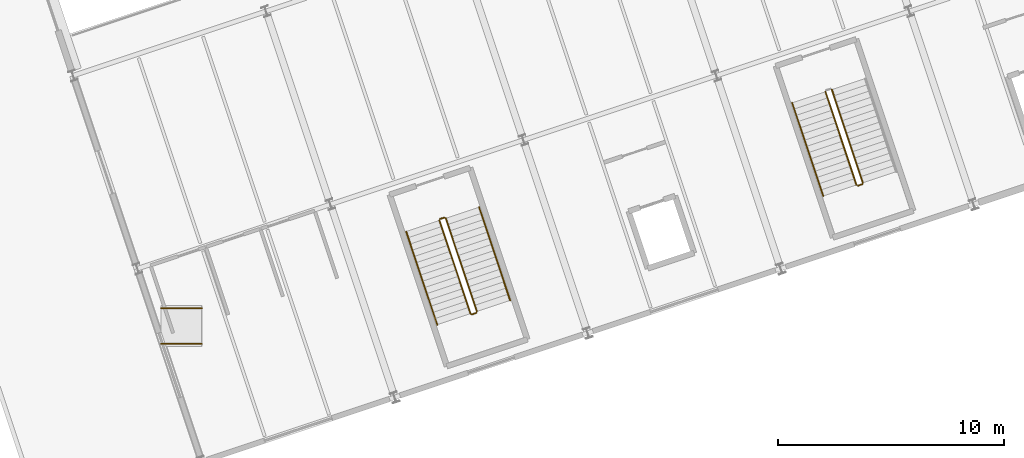
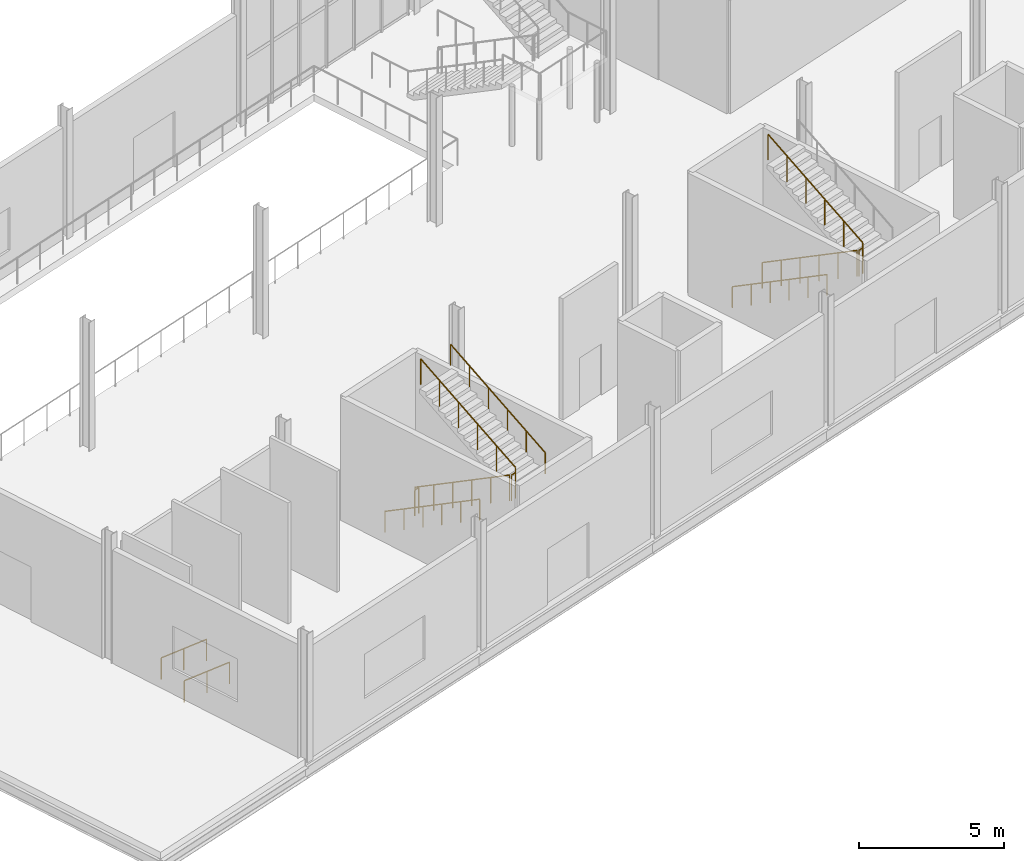
# One storey, part 143 of 158: 12 railings, 1 element without a shape of its own.
"""IFC4 building model written with IfcOpenShell, lengths in metres."""

from ifc_helpers import new_model, si_unit, derived_unit, direction, frame, origin, origin_2d, place, context, subcontext, project, spatial, circle, extrude, material, type_object, element, aggregate, save


model = new_model("IFC4")

# Units and contexts
model_context = context("Model", 3, precision=1e-05, world=origin(), true_north=direction((0.0, 1.0)))
body_context = subcontext(model_context, "Body", "Model", "MODEL_VIEW")
ifc_project = project(units=[si_unit("LENGTHUNIT", "METRE"), si_unit("AREAUNIT", "SQUARE_METRE"), si_unit("VOLUMEUNIT", "CUBIC_METRE"), si_unit("PLANEANGLEUNIT", "RADIAN"), si_unit("MASSUNIT", "GRAM", prefix="KILO"), si_unit("THERMODYNAMICTEMPERATUREUNIT", "KELVIN"), si_unit("TIMEUNIT", "SECOND"), derived_unit("THERMALTRANSMITTANCEUNIT", [(si_unit("MASSUNIT", "GRAM", prefix="KILO"), 1), (si_unit("THERMODYNAMICTEMPERATUREUNIT", "KELVIN"), -1), (si_unit("TIMEUNIT", "SECOND"), -3)])], contexts=[model_context])

# Site, building, storey
site_placement = place(None, origin())
site = spatial("IfcSite", under=ifc_project, at=site_placement, CompositionType="ELEMENT")
building_placement = place(site_placement, origin())
building = spatial("IfcBuilding", under=site, at=building_placement, Name="Cambertide Market Hall", CompositionType="ELEMENT")
storey_placement = place(building_placement, origin())
storey = spatial("IfcBuildingStorey", under=building, at=storey_placement, Name="L01", CompositionType="ELEMENT", Elevation=0.0)

# Ramp, railings
ifc_material_1 = material(Name="Flamed Central-Vietnam Granite Paving", Category="masonry")
ramp_type = type_object("IfcRampType", Name="Exterior Accessible Entry Ramp", PredefinedType="STRAIGHT_RUN_RAMP", material=ifc_material_1)
ramp_placement = place(storey_placement, origin())
ramp = element("IfcRamp", 1, at=ramp_placement, inside=storey, type_object=ramp_type, Name="Riverside Food Court Accessible Ramp PR-04", PredefinedType="STRAIGHT_RUN_RAMP")
ifc_material_2 = material(Name="Stainless Steel Grade 316", Category="metal")
railing_type_1 = type_object("IfcRailingType", Name="Exterior Plinth Ramp Handrail 920", PredefinedType="HANDRAIL", material=ifc_material_2)
railing_1_placement = place(storey_placement, frame((104.199951171875, 17.2080078125, -0.14990234375)))
railing_1 = element("IfcRailing", 2, at=railing_1_placement, type_object=railing_type_1, Name="Riverside Food Court Accessible Ramp PR-04 Handrail 1", PredefinedType="HANDRAIL", context=body_context, shape_type="SweptSolid", body=[
    extrude(circle(Radius=0.02392578125, at=origin_2d()), frame((0.0, 0.0, 0.89599609375), z_axis=(0.996550417439, 0.0, 0.082989550564), x_axis=(0.0, 1.0, 0.0)), (0.0, 0.0, 1.0), 1.806396484375),
    extrude(circle(Radius=0.02099609375, at=origin_2d()), origin(), (0.0, 0.0, 1.0), 0.871826171875),
    extrude(circle(Radius=0.02099609375, at=origin_2d()), frame((0.89990234375, 0.0, 0.074951171875)), (0.0, 0.0, 1.0), 0.871826171875),
    extrude(circle(Radius=0.02099609375, at=origin_2d()), frame((1.800048828125, 0.0, 0.14990234375)), (0.0, 0.0, 1.0), 0.871826171875),
])
railing_2_placement = place(storey_placement, frame((104.199951171875, 18.7919921875, -0.14990234375)))
railing_2 = element("IfcRailing", 3, at=railing_2_placement, type_object=railing_type_1, Name="Riverside Food Court Accessible Ramp PR-04 Handrail 2", PredefinedType="HANDRAIL", context=body_context, shape_type="SweptSolid", body=[
    extrude(circle(Radius=0.02392578125, at=origin_2d()), frame((0.0, 0.0, 0.89599609375), z_axis=(0.996550417439, 0.0, 0.082989550564), x_axis=(0.0, 1.0, 0.0)), (0.0, 0.0, 1.0), 1.806396484375),
    extrude(circle(Radius=0.02099609375, at=origin_2d()), origin(), (0.0, 0.0, 1.0), 0.871826171875),
    extrude(circle(Radius=0.02099609375, at=origin_2d()), frame((0.89990234375, 0.0, 0.074951171875)), (0.0, 0.0, 1.0), 0.871826171875),
    extrude(circle(Radius=0.02099609375, at=origin_2d()), frame((1.800048828125, 0.0, 0.14990234375)), (0.0, 0.0, 1.0), 0.871826171875),
])
aggregate(ramp, [railing_1, railing_2])

# Railings
ifc_material_3 = material(Name="Stainless Steel Grade 316", Category="metal")
railing_type_2 = type_object("IfcRailingType", Name="Stair Wall Handrail 900", PredefinedType="HANDRAIL", material=ifc_material_3)
railing_3_placement = place(storey_placement, frame((115.044189453125, 22.1826171875, 0.168701171875)))
element("IfcRailing", 4, at=railing_3_placement, inside=storey, type_object=railing_type_2, Name="Level 1 ST-05A stair handrail 1", PredefinedType="HANDRAIL", context=body_context, shape_type="SweptSolid", body=[
    extrude(circle(Radius=0.02392578125, at=origin_2d()), frame((0.0, 0.0, 0.8759765625), z_axis=(0.273294738138, -0.819981230652, 0.502932169865), x_axis=(0.94869452195, 0.316194092325, 0.0)), (0.0, 0.0, 1.0), 5.032958984375),
    extrude(circle(Radius=0.02099609375, at=origin_2d()), origin(), (0.0, 0.0, 1.0), 0.851806640625),
    extrude(circle(Radius=0.02099609375, at=origin_2d()), frame((0.275146484375, -0.825439453125, 0.50634765625)), (0.0, 0.0, 1.0), 0.851806640625),
    extrude(circle(Radius=0.02099609375, at=origin_2d()), frame((0.55029296875, -1.65087890625, 1.012451171875)), (0.0, 0.0, 1.0), 0.851806640625),
    extrude(circle(Radius=0.02099609375, at=origin_2d()), frame((0.8251953125, -2.47607421875, 1.518798828125)), (0.0, 0.0, 1.0), 0.851806640625),
    extrude(circle(Radius=0.02099609375, at=origin_2d()), frame((1.100341796875, -3.301513671875, 2.02490234375)), (0.0, 0.0, 1.0), 0.851806640625),
    extrude(circle(Radius=0.02099609375, at=origin_2d()), frame((1.37548828125, -4.126953125, 2.53125)), (0.0, 0.0, 1.0), 0.851806640625),
])
railing_4_placement = place(storey_placement, frame((119.645263671875, 19.130859375, 2.86865234375)))
element("IfcRailing", 5, at=railing_4_placement, inside=storey, type_object=railing_type_2, Name="Level 1 ST-05A stair handrail 2", PredefinedType="HANDRAIL", context=body_context, shape_type="SweptSolid", body=[
    extrude(circle(Radius=0.02392578125, at=origin_2d()), frame((0.0, 0.0, 0.8759765625), z_axis=(-0.273339622292, 0.819970359401, 0.502925502027), x_axis=(-0.948677685752, -0.316244602414, 0.0)), (0.0, 0.0, 1.0), 5.032958984375),
    extrude(circle(Radius=0.02099609375, at=origin_2d()), origin(), (0.0, 0.0, 1.0), 0.851806640625),
    extrude(circle(Radius=0.02099609375, at=origin_2d()), frame((-0.275146484375, 0.825439453125, 0.50634765625)), (0.0, 0.0, 1.0), 0.851806640625),
    extrude(circle(Radius=0.02099609375, at=origin_2d()), frame((-0.55029296875, 1.65087890625, 1.012451171875)), (0.0, 0.0, 1.0), 0.851806640625),
    extrude(circle(Radius=0.02099609375, at=origin_2d()), frame((-0.825439453125, 2.47607421875, 1.518798828125)), (0.0, 0.0, 1.0), 0.851806640625),
    extrude(circle(Radius=0.02099609375, at=origin_2d()), frame((-1.1005859375, 3.301513671875, 2.02490234375)), (0.0, 0.0, 1.0), 0.851806640625),
    extrude(circle(Radius=0.02099609375, at=origin_2d()), frame((-1.375732421875, 4.126953125, 2.53125)), (0.0, 0.0, 1.0), 0.851806640625),
])
railing_5_placement = place(storey_placement, frame((132.120361328125, 27.874755859375, 0.168701171875)))
element("IfcRailing", 6, at=railing_5_placement, inside=storey, type_object=railing_type_2, Name="Level 1 ST-06A stair handrail 1", PredefinedType="HANDRAIL", context=body_context, shape_type="SweptSolid", body=[
    extrude(circle(Radius=0.02392578125, at=origin_2d()), frame((0.0, 0.0, 0.8759765625), z_axis=(0.273339622292, -0.819970359401, 0.502925502027), x_axis=(0.948677685752, 0.316244602414, 0.0)), (0.0, 0.0, 1.0), 5.032958984375),
    extrude(circle(Radius=0.02099609375, at=origin_2d()), origin(), (0.0, 0.0, 1.0), 0.851806640625),
    extrude(circle(Radius=0.02099609375, at=origin_2d()), frame((0.275146484375, -0.825439453125, 0.50634765625)), (0.0, 0.0, 1.0), 0.851806640625),
    extrude(circle(Radius=0.02099609375, at=origin_2d()), frame((0.55029296875, -1.65087890625, 1.012451171875)), (0.0, 0.0, 1.0), 0.851806640625),
    extrude(circle(Radius=0.02099609375, at=origin_2d()), frame((0.825439453125, -2.47607421875, 1.518798828125)), (0.0, 0.0, 1.0), 0.851806640625),
    extrude(circle(Radius=0.02099609375, at=origin_2d()), frame((1.1005859375, -3.301513671875, 2.02490234375)), (0.0, 0.0, 1.0), 0.851806640625),
    extrude(circle(Radius=0.02099609375, at=origin_2d()), frame((1.375732421875, -4.126953125, 2.53125)), (0.0, 0.0, 1.0), 0.851806640625),
])
ifc_material_4 = material(Name="Stainless Steel Grade 316", Category="metal")
railing_type_3 = type_object("IfcRailingType", Name="Stairwell Inner Guardrail 1100", PredefinedType="GUARDRAIL", material=ifc_material_4)
railing_6_placement = place(storey_placement, frame((116.5146484375, 22.672607421875, 0.168701171875)))
element("IfcRailing", 7, at=railing_6_placement, inside=storey, type_object=railing_type_3, Name="Level 1 ST-05A stair guard 1", PredefinedType="GUARDRAIL", context=body_context, shape_type="SweptSolid", body=[
    extrude(circle(Radius=0.02392578125, at=origin_2d()), frame((0.0, 0.0, 1.076171875), z_axis=(0.273305608968, -0.819965336951, 0.502952174969), x_axis=(0.948688910449, 0.316210928324, 0.0)), (0.0, 0.0, 1.0), 5.03271484375),
    extrude(circle(Radius=0.02099609375, at=origin_2d()), origin(), (0.0, 0.0, 1.0), 1.052001953125),
    extrude(circle(Radius=0.02099609375, at=origin_2d()), frame((0.275146484375, -0.825439453125, 0.50634765625)), (0.0, 0.0, 1.0), 1.052001953125),
    extrude(circle(Radius=0.02099609375, at=origin_2d()), frame((0.55029296875, -1.650634765625, 1.012451171875)), (0.0, 0.0, 1.0), 1.052001953125),
    extrude(circle(Radius=0.02099609375, at=origin_2d()), frame((0.8251953125, -2.47607421875, 1.518798828125)), (0.0, 0.0, 1.0), 1.052001953125),
    extrude(circle(Radius=0.02099609375, at=origin_2d()), frame((1.100341796875, -3.30126953125, 2.02490234375)), (0.0, 0.0, 1.0), 1.052001953125),
    extrude(circle(Radius=0.02099609375, at=origin_2d()), frame((1.37548828125, -4.126708984375, 2.53125)), (0.0, 0.0, 1.0), 1.052001953125),
])
railing_7_placement = place(storey_placement, frame((117.953369140625, 18.514404296875, 2.699951171875)))
element("IfcRailing", 8, at=railing_7_placement, inside=storey, type_object=railing_type_3, Name="Level 1 ST-05A stair guard 2", PredefinedType="GUARDRAIL", context=body_context, shape_type="SweptSolid", body=[
    extrude(circle(Radius=0.02392578125, at=origin_2d()), frame((0.0, 0.0, 1.076171875), z_axis=(0.948683298051, 0.316227766017, 0.0), x_axis=(-0.316227766017, 0.948683298051, 0.0)), (0.0, 0.0, 1.0), 0.199951171875),
    extrude(circle(Radius=0.02099609375, at=origin_2d()), origin(), (0.0, 0.0, 1.0), 1.052001953125),
    extrude(circle(Radius=0.02099609375, at=origin_2d()), frame((0.189697265625, 0.063232421875, 0.0)), (0.0, 0.0, 1.0), 1.052001953125),
])
railing_8_placement = place(storey_placement, frame((118.1748046875, 18.640869140625, 2.86865234375)))
element("IfcRailing", 9, at=railing_8_placement, inside=storey, type_object=railing_type_3, Name="Level 1 ST-05A stair guard 3", PredefinedType="GUARDRAIL", context=body_context, shape_type="SweptSolid", body=[
    extrude(circle(Radius=0.02392578125, at=origin_2d()), frame((0.0, 0.0, 1.076171875), z_axis=(-0.273350494618, 0.819954465046, 0.502945506336), x_axis=(-0.948672072557, -0.316261440505, 0.0)), (0.0, 0.0, 1.0), 5.032958984375),
    extrude(circle(Radius=0.02099609375, at=origin_2d()), origin(), (0.0, 0.0, 1.0), 1.052001953125),
    extrude(circle(Radius=0.02099609375, at=origin_2d()), frame((-0.275146484375, 0.825439453125, 0.50634765625)), (0.0, 0.0, 1.0), 1.052001953125),
    extrude(circle(Radius=0.02099609375, at=origin_2d()), frame((-0.55029296875, 1.650634765625, 1.012451171875)), (0.0, 0.0, 1.0), 1.052001953125),
    extrude(circle(Radius=0.02099609375, at=origin_2d()), frame((-0.825439453125, 2.47607421875, 1.518798828125)), (0.0, 0.0, 1.0), 1.052001953125),
    extrude(circle(Radius=0.02099609375, at=origin_2d()), frame((-1.1005859375, 3.30126953125, 2.02490234375)), (0.0, 0.0, 1.0), 1.052001953125),
    extrude(circle(Radius=0.02099609375, at=origin_2d()), frame((-1.375732421875, 4.126708984375, 2.53125)), (0.0, 0.0, 1.0), 1.052001953125),
])
railing_9_placement = place(storey_placement, frame((116.546142578125, 22.73583984375, 0.0)))
element("IfcRailing", 10, at=railing_9_placement, inside=storey, type_object=railing_type_3, Name="Level 1 ST-05A stair guard 4", PredefinedType="GUARDRAIL", context=body_context, shape_type="SweptSolid", body=[
    extrude(circle(Radius=0.02392578125, at=origin_2d()), frame((0.0, 0.0, 1.076171875), z_axis=(0.948683298051, 0.316227766017, 0.0), x_axis=(-0.316227766017, 0.948683298051, 0.0)), (0.0, 0.0, 1.0), 0.199951171875),
    extrude(circle(Radius=0.02099609375, at=origin_2d()), origin(), (0.0, 0.0, 1.0), 1.052001953125),
    extrude(circle(Radius=0.02099609375, at=origin_2d()), frame((0.189697265625, 0.063232421875, 0.0)), (0.0, 0.0, 1.0), 1.052001953125),
])
railing_10_placement = place(storey_placement, frame((133.5908203125, 28.36474609375, 0.168701171875)))
element("IfcRailing", 11, at=railing_10_placement, inside=storey, type_object=railing_type_3, Name="Level 1 ST-06A stair guard 1", PredefinedType="GUARDRAIL", context=body_context, shape_type="SweptSolid", body=[
    extrude(circle(Radius=0.02392578125, at=origin_2d()), frame((0.0, 0.0, 1.076171875), z_axis=(0.273350494618, -0.819954465046, 0.502945506336), x_axis=(0.948672072557, 0.316261440505, 0.0)), (0.0, 0.0, 1.0), 5.032958984375),
    extrude(circle(Radius=0.02099609375, at=origin_2d()), origin(), (0.0, 0.0, 1.0), 1.052001953125),
    extrude(circle(Radius=0.02099609375, at=origin_2d()), frame((0.275146484375, -0.825439453125, 0.50634765625)), (0.0, 0.0, 1.0), 1.052001953125),
    extrude(circle(Radius=0.02099609375, at=origin_2d()), frame((0.55029296875, -1.650634765625, 1.012451171875)), (0.0, 0.0, 1.0), 1.052001953125),
    extrude(circle(Radius=0.02099609375, at=origin_2d()), frame((0.825439453125, -2.47607421875, 1.518798828125)), (0.0, 0.0, 1.0), 1.052001953125),
    extrude(circle(Radius=0.02099609375, at=origin_2d()), frame((1.1005859375, -3.30126953125, 2.02490234375)), (0.0, 0.0, 1.0), 1.052001953125),
    extrude(circle(Radius=0.02099609375, at=origin_2d()), frame((1.375732421875, -4.126708984375, 2.53125)), (0.0, 0.0, 1.0), 1.052001953125),
])
railing_11_placement = place(storey_placement, frame((135.02978515625, 24.206298828125, 2.699951171875)))
element("IfcRailing", 12, at=railing_11_placement, inside=storey, type_object=railing_type_3, Name="Level 1 ST-06A stair guard 2", PredefinedType="GUARDRAIL", context=body_context, shape_type="SweptSolid", body=[
    extrude(circle(Radius=0.02392578125, at=origin_2d()), frame((0.0, 0.0, 1.076171875), z_axis=(0.948683298051, 0.316227766017, 0.0), x_axis=(-0.316227766017, 0.948683298051, 0.0)), (0.0, 0.0, 1.0), 0.199951171875),
    extrude(circle(Radius=0.02099609375, at=origin_2d()), origin(), (0.0, 0.0, 1.0), 1.052001953125),
    extrude(circle(Radius=0.02099609375, at=origin_2d()), frame((0.189697265625, 0.063232421875, 0.0)), (0.0, 0.0, 1.0), 1.052001953125),
])
railing_12_placement = place(storey_placement, frame((135.2509765625, 24.332763671875, 2.86865234375)))
element("IfcRailing", 13, at=railing_12_placement, inside=storey, type_object=railing_type_3, Name="Level 1 ST-06A stair guard 3", PredefinedType="GUARDRAIL", context=body_context, shape_type="SweptSolid", body=[
    extrude(circle(Radius=0.02392578125, at=origin_2d()), frame((0.0, 0.0, 1.076171875), z_axis=(-0.273294738138, 0.819981230652, 0.502932169865), x_axis=(-0.94869452195, -0.316194092325, 0.0)), (0.0, 0.0, 1.0), 5.032958984375),
    extrude(circle(Radius=0.02099609375, at=origin_2d()), origin(), (0.0, 0.0, 1.0), 1.052001953125),
    extrude(circle(Radius=0.02099609375, at=origin_2d()), frame((-0.275146484375, 0.825439453125, 0.50634765625)), (0.0, 0.0, 1.0), 1.052001953125),
    extrude(circle(Radius=0.02099609375, at=origin_2d()), frame((-0.55029296875, 1.65087890625, 1.012451171875)), (0.0, 0.0, 1.0), 1.052001953125),
    extrude(circle(Radius=0.02099609375, at=origin_2d()), frame((-0.8251953125, 2.47607421875, 1.518798828125)), (0.0, 0.0, 1.0), 1.052001953125),
    extrude(circle(Radius=0.02099609375, at=origin_2d()), frame((-1.100341796875, 3.301513671875, 2.02490234375)), (0.0, 0.0, 1.0), 1.052001953125),
    extrude(circle(Radius=0.02099609375, at=origin_2d()), frame((-1.37548828125, 4.126953125, 2.53125)), (0.0, 0.0, 1.0), 1.052001953125),
])

save(model, "model.ifc")
